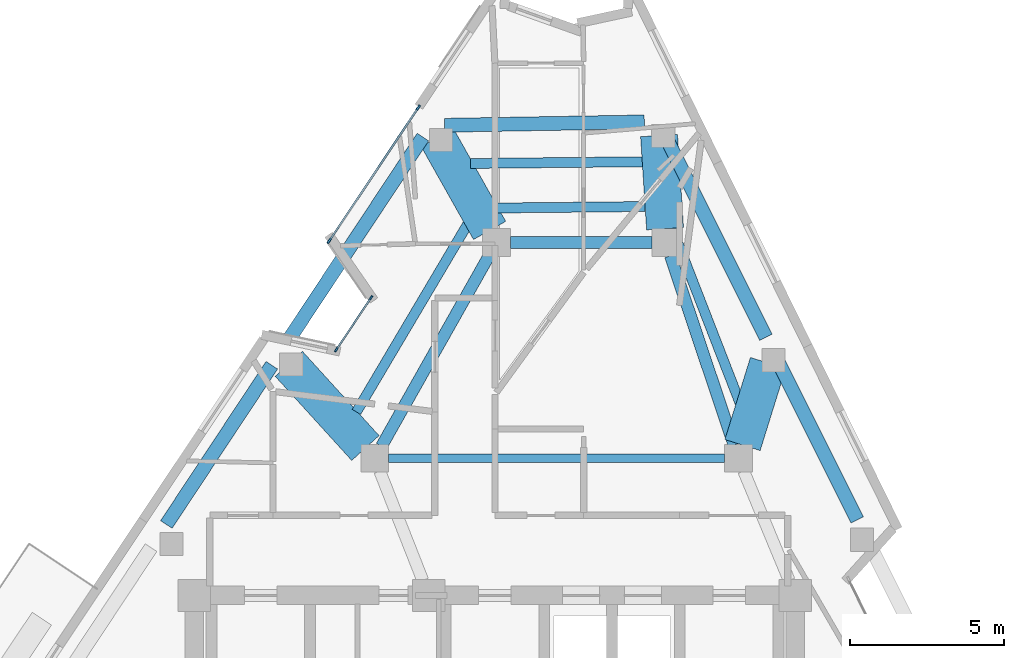
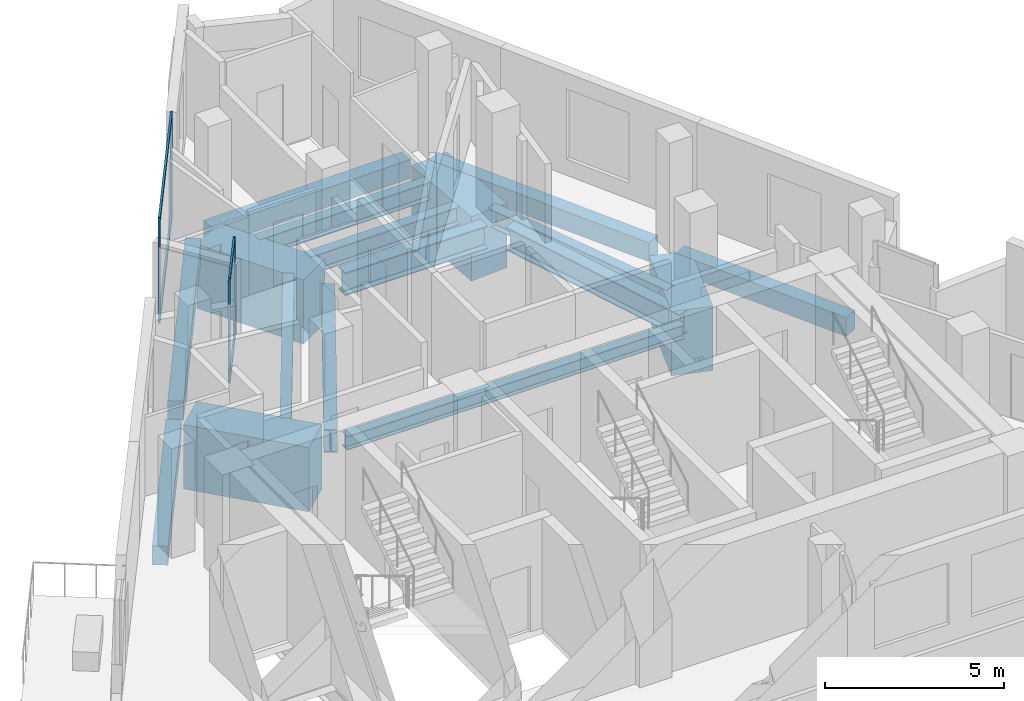
# One storey, part 3 of 10: 17 beams, 8 members, 2 elements without a shape of their own.
"""IFC4 building model written with IfcOpenShell, lengths in metres."""

from ifc_helpers import new_model, si_unit, direction, frame, origin, origin_2d, place, context, subcontext, project, spatial, rectangle, i_section, extrude, material, layer, layer_set, material_profile, profile_set, type_object, element, aggregate, save


model = new_model("IFC4")

# Units and contexts
model_context = context("Model", 3, precision=1e-05, world=origin(), true_north=direction((0.0, 1.0)))
body_context = subcontext(model_context, "Body", "Model", "MODEL_VIEW")
ifc_project = project(units=[si_unit("LENGTHUNIT", "METRE"), si_unit("AREAUNIT", "SQUARE_METRE"), si_unit("VOLUMEUNIT", "CUBIC_METRE"), si_unit("PLANEANGLEUNIT", "RADIAN"), si_unit("MASSUNIT", "GRAM", prefix="KILO")], contexts=[model_context])

# Site, building, storey
site_placement = place(None, origin())
site = spatial("IfcSite", under=ifc_project, at=site_placement, CompositionType="ELEMENT")
building_placement = place(site_placement, origin())
building = spatial("IfcBuilding", under=site, at=building_placement, Name="Almagre Mirador Tower", CompositionType="ELEMENT")
storey_placement = place(building_placement, frame((0.0, 0.0, 270.75)))
storey = spatial("IfcBuildingStorey", under=building, at=storey_placement, Name="L70", CompositionType="ELEMENT", Elevation=270.75)

# Beams
ifc_material_1 = material(Name="Steel ASTM A992 Grade 50", Category="steel")
ifc_material_profile_1 = material_profile(ifc_material_1, i_section(OverallWidth=0.281982421875, OverallDepth=0.467041015625, WebThickness=0.01220703125, FlangeThickness=0.01953125, FilletRadius=0.01611328125, at=origin_2d()), Name="W18X86")
ifc_profile_set_1 = profile_set([ifc_material_profile_1], Name="Steel ASTM A992 Grade 50")
beam_type_1 = type_object("IfcBeamType", Name="BM-BAL-W18X86", PredefinedType="JOIST", material=ifc_profile_set_1)
beam_1_placement = place(storey_placement, frame((33.85009765625, 19.199951171875, -0.4833984375), z_axis=(1.0, 0.0, 0.0), x_axis=(0.0, 1.0, 0.0)))
element("IfcBeam", 1, at=beam_1_placement, inside=storey, type_object=beam_type_1, Name="L70 secondary header beam BB-01", PredefinedType="JOIST", context=body_context, shape_type="SweptSolid", body=[
    extrude(i_section(OverallWidth=0.281982421875, OverallDepth=0.467041015625, WebThickness=0.01220703125, FlangeThickness=0.01953125, FilletRadius=0.01611328125, at=origin_2d()), origin(), (0.0, 0.0, 1.0), 10.89990234375),
])
ifc_material_2 = material(Name="Steel ASTM A992 Grade 50", Category="steel")
ifc_material_profile_2 = material_profile(ifc_material_2, i_section(OverallWidth=0.323974609375, OverallDepth=0.611083984375, WebThickness=0.0126953125, FlangeThickness=0.01904296875, FilletRadius=0.02001953125, at=origin_2d()), Name="W24X104")
ifc_profile_set_2 = profile_set([ifc_material_profile_2], Name="Steel ASTM A992 Grade 50")
beam_type_2 = type_object("IfcBeamType", Name="BM-JST-W24X104", PredefinedType="JOIST", material=ifc_profile_set_2)
beam_2_placement = place(storey_placement, frame((45.315673828125, 20.828369140625, -0.555419921875), z_axis=(-0.361914235018, 0.932211395817, 0.0), x_axis=(-0.932211395817, -0.361914235018, 0.0)))
element("IfcBeam", 2, at=beam_2_placement, inside=storey, type_object=beam_type_2, Name="L70 secondary floor joist PC07-PC08.3", PredefinedType="JOIST", context=body_context, shape_type="SweptSolid", body=[
    extrude(i_section(OverallWidth=0.323974609375, OverallDepth=0.611083984375, WebThickness=0.0126953125, FlangeThickness=0.01904296875, FilletRadius=0.02001953125, at=origin_2d()), origin(), (0.0, 0.0, 1.0), 6.422607421875),
])
beam_3_placement = place(storey_placement, frame((42.08056640625, 28.821044921875, -0.555419921875), z_axis=(-0.999953145614, -0.009680215742, 0.0), x_axis=(0.009680215742, -0.999953145614, 0.0)))
element("IfcBeam", 3, at=beam_3_placement, inside=storey, type_object=beam_type_2, Name="L70 secondary floor joist PC08-PC09.1", PredefinedType="JOIST", context=body_context, shape_type="SweptSolid", body=[
    extrude(i_section(OverallWidth=0.323974609375, OverallDepth=0.611083984375, WebThickness=0.0126953125, FlangeThickness=0.01904296875, FilletRadius=0.02001953125, at=origin_2d()), origin(), (0.0, 0.0, 1.0), 5.57373046875),
])
beam_4_placement = place(storey_placement, frame((42.17431640625, 27.369140625, -0.555419921875), z_axis=(-0.999950885188, -0.009910964197, 0.0), x_axis=(0.009910964197, -0.999950885188, 0.0)))
element("IfcBeam", 4, at=beam_4_placement, inside=storey, type_object=beam_type_2, Name="L70 secondary floor joist PC08-PC09.3", PredefinedType="JOIST", context=body_context, shape_type="SweptSolid", body=[
    extrude(i_section(OverallWidth=0.323974609375, OverallDepth=0.611083984375, WebThickness=0.0126953125, FlangeThickness=0.01904296875, FilletRadius=0.02001953125, at=origin_2d()), origin(), (0.0, 0.0, 1.0), 4.852783203125),
])
beam_5_placement = place(storey_placement, frame((36.416015625, 26.798828125, -0.555419921875), z_axis=(-0.509565212564, -0.860432039236, 0.0), x_axis=(0.860432039236, -0.509565212564, 0.0)))
element("IfcBeam", 5, at=beam_5_placement, inside=storey, type_object=beam_type_2, Name="L70 secondary floor joist PC09-PC10.3", PredefinedType="JOIST", context=body_context, shape_type="SweptSolid", body=[
    extrude(i_section(OverallWidth=0.323974609375, OverallDepth=0.611083984375, WebThickness=0.0126953125, FlangeThickness=0.01904296875, FilletRadius=0.02001953125, at=origin_2d()), origin(), (0.0, 0.0, 1.0), 7.082763671875),
])
ifc_material_3 = material(Name="Precast concrete C50/60", Category="concrete")
ifc_material_profile_3 = material_profile(ifc_material_3, rectangle(XDim=0.449951171875, YDim=0.64990234375, at=origin_2d()), Name="RC450X650")
ifc_profile_set_3 = profile_set([ifc_material_profile_3], Name="Precast concrete C50/60")
beam_type_3 = type_object("IfcBeamType", Name="BM-SPN-RC450X650", PredefinedType="SPANDREL", material=ifc_profile_set_3)
beam_6_placement = place(storey_placement, frame((49.055908203125, 17.20556640625, -0.574951171875), z_axis=(-0.447230671809, 0.894418652642, 0.0), x_axis=(-0.894418652642, -0.447230671809, 0.0)))
element("IfcBeam", 6, at=beam_6_placement, inside=storey, type_object=beam_type_3, Name="L70 perimeter spandrel beam PC06-PC07", PredefinedType="SPANDREL", context=body_context, shape_type="SweptSolid", body=[
    extrude(rectangle(XDim=0.449951171875, YDim=0.64990234375, at=origin_2d()), origin(), (0.0, 0.0, 1.0), 5.71875),
])
beam_7_placement = place(storey_placement, frame((46.095703125, 23.12548828125, -0.574951171875), z_axis=(-0.447226839749, 0.894420568753, 0.0), x_axis=(-0.894420568753, -0.447226839749, 0.0)))
element("IfcBeam", 7, at=beam_7_placement, inside=storey, type_object=beam_type_3, Name="L70 perimeter spandrel beam PC07-PC08", PredefinedType="SPANDREL", context=body_context, shape_type="SweptSolid", body=[
    extrude(rectangle(XDim=0.449951171875, YDim=0.64990234375, at=origin_2d()), origin(), (0.0, 0.0, 1.0), 7.37353515625),
])
beam_8_placement = place(storey_placement, frame((42.147216796875, 30.115234375, -0.574951171875), z_axis=(-0.999854670426, -0.017048109218, 0.0), x_axis=(0.017048109218, -0.999854670426, 0.0)))
element("IfcBeam", 8, at=beam_8_placement, inside=storey, type_object=beam_type_3, Name="L70 perimeter spandrel beam PC08-PC09", PredefinedType="SPANDREL", context=body_context, shape_type="SweptSolid", body=[
    extrude(rectangle(XDim=0.449951171875, YDim=0.64990234375, at=origin_2d()), origin(), (0.0, 0.0, 1.0), 6.4873046875),
])
beam_9_placement = place(storey_placement, frame((34.962646484375, 29.621826171875, -0.574951171875), z_axis=(-0.55211200974, -0.833769949507, 0.0), x_axis=(0.833769949507, -0.55211200974, 0.0)))
element("IfcBeam", 9, at=beam_9_placement, inside=storey, type_object=beam_type_3, Name="L70 perimeter spandrel beam PC09-PC10", PredefinedType="SPANDREL", context=body_context, shape_type="SweptSolid", body=[
    extrude(rectangle(XDim=0.449951171875, YDim=0.64990234375, at=origin_2d()), origin(), (0.0, 0.0, 1.0), 7.975341796875),
])
beam_10_placement = place(storey_placement, frame((30.0625, 22.2216796875, -0.574951171875), z_axis=(-0.552107701179, -0.833772802566, 0.0), x_axis=(0.833772802566, -0.552107701179, 0.0)))
element("IfcBeam", 10, at=beam_10_placement, inside=storey, type_object=beam_type_3, Name="L70 perimeter spandrel beam PC10-PC11", PredefinedType="SPANDREL", context=body_context, shape_type="SweptSolid", body=[
    extrude(rectangle(XDim=0.449951171875, YDim=0.64990234375, at=origin_2d()), origin(), (0.0, 0.0, 1.0), 6.199951171875),
])
ifc_material_4 = material(Name="Steel ASTM A992 Grade 50", Category="steel")
ifc_material_profile_4 = material_profile(ifc_material_4, i_section(OverallWidth=0.384033203125, OverallDepth=0.784912109375, WebThickness=0.019775390625, FlangeThickness=0.033447265625, FilletRadius=0.02392578125, at=origin_2d()), Name="W30X211")
ifc_profile_set_4 = profile_set([ifc_material_profile_4], Name="Steel ASTM A992 Grade 50")
beam_type_4 = type_object("IfcBeamType", Name="BM-STL-W30X211", PredefinedType="BEAM", material=ifc_profile_set_4)
beam_11_placement = place(storey_placement, frame((37.800048828125, 26.199951171875, -0.642578125), z_axis=(1.0, 0.0, 0.0), x_axis=(0.0, 1.0, 0.0)))
element("IfcBeam", 11, at=beam_11_placement, inside=storey, type_object=beam_type_4, Name="L70 core tie girder MC7-MC6", PredefinedType="BEAM", context=body_context, shape_type="SweptSolid", body=[
    extrude(i_section(OverallWidth=0.384033203125, OverallDepth=0.784912109375, WebThickness=0.019775390625, FlangeThickness=0.033447265625, FilletRadius=0.02392578125, at=origin_2d()), origin(), (0.0, 0.0, 1.0), 4.599853515625),
])
beam_12_placement = place(storey_placement, frame((42.9931640625, 25.7734375, -0.642578125), z_axis=(0.318282890726, -0.947995781357, 0.0), x_axis=(0.947995781357, 0.318282890726, 0.0)))
element("IfcBeam", 12, at=beam_12_placement, inside=storey, type_object=beam_type_4, Name="L70 core tie girder MC6-MC5", PredefinedType="BEAM", context=body_context, shape_type="SweptSolid", body=[
    extrude(i_section(OverallWidth=0.384033203125, OverallDepth=0.784912109375, WebThickness=0.019775390625, FlangeThickness=0.033447265625, FilletRadius=0.02392578125, at=origin_2d()), origin(), (0.0, 0.0, 1.0), 6.48388671875),
])
beam_13_placement = place(storey_placement, frame((37.12890625, 25.80810546875, -0.642578125), z_axis=(-0.491446261843, -0.870907900825, 0.0), x_axis=(0.870907900825, -0.491446261843, 0.0)))
element("IfcBeam", 13, at=beam_13_placement, inside=storey, type_object=beam_type_4, Name="L70 core tie girder MC7-MC8", PredefinedType="BEAM", context=body_context, shape_type="SweptSolid", body=[
    extrude(i_section(OverallWidth=0.384033203125, OverallDepth=0.784912109375, WebThickness=0.019775390625, FlangeThickness=0.033447265625, FilletRadius=0.02392578125, at=origin_2d()), origin(), (0.0, 0.0, 1.0), 7.1376953125),
])
ifc_material_5 = material(Name="Concrete C60/75", Category="concrete")
ifc_material_profile_5 = material_profile(ifc_material_5, rectangle(XDim=1.199951171875, YDim=2.199951171875, at=origin_2d()), Name="RC1200X2200")
ifc_profile_set_5 = profile_set([ifc_material_profile_5], Name="Concrete C60/75")
beam_type_5 = type_object("IfcBeamType", Name="BM-XFER-RC1200X2200", PredefinedType="BEAM", material=ifc_profile_set_5)
beam_14_placement = place(storey_placement, frame((46.1630859375, 22.293212890625, -1.35009765625), z_axis=(-0.297288188683, -0.95478779468, 0.0), x_axis=(0.95478779468, -0.297288188683, 0.0)))
element("IfcBeam", 14, at=beam_14_placement, inside=storey, type_object=beam_type_5, Name="L70 radial transfer girder PC07-MC5", PredefinedType="BEAM", context=body_context, shape_type="SweptSolid", body=[
    extrude(rectangle(XDim=1.199951171875, YDim=2.199951171875, at=origin_2d()), origin(), (0.0, 0.0, 1.0), 2.789794921875),
])
beam_15_placement = place(storey_placement, frame((42.6259765625, 29.673828125, -1.35009765625), z_axis=(0.064358989598, -0.997926811173, 0.0), x_axis=(0.997926811173, 0.064358989598, 0.0)))
element("IfcBeam", 15, at=beam_15_placement, inside=storey, type_object=beam_type_5, Name="L70 radial transfer girder PC08-MC6", PredefinedType="BEAM", context=body_context, shape_type="SweptSolid", body=[
    extrude(rectangle(XDim=1.199951171875, YDim=2.199951171875, at=origin_2d()), origin(), (0.0, 0.0, 1.0), 3.031005859375),
])
beam_16_placement = place(storey_placement, frame((35.431884765625, 29.60498046875, -1.35009765625), z_axis=(0.490807503583, -0.871268038222, 0.0), x_axis=(0.871268038222, 0.490807503583, 0.0)))
element("IfcBeam", 16, at=beam_16_placement, inside=storey, type_object=beam_type_5, Name="L70 radial transfer girder PC09-MC7", PredefinedType="BEAM", context=body_context, shape_type="SweptSolid", body=[
    extrude(rectangle(XDim=1.199951171875, YDim=2.199951171875, at=origin_2d()), origin(), (0.0, 0.0, 1.0), 3.4580078125),
])
beam_17_placement = place(storey_placement, frame((30.61376953125, 22.26416015625, -1.35009765625), z_axis=(0.672781414124, -0.739841313262, 0.0), x_axis=(0.739841313262, 0.672781414124, 0.0)))
element("IfcBeam", 17, at=beam_17_placement, inside=storey, type_object=beam_type_5, Name="L70 radial transfer girder PC10-MC8", PredefinedType="BEAM", context=body_context, shape_type="SweptSolid", body=[
    extrude(rectangle(XDim=1.199951171875, YDim=2.199951171875, at=origin_2d()), origin(), (0.0, 0.0, 1.0), 3.691650390625),
])

# Curtain wall, members
ifc_material_6 = material(Name="Black anodized aluminium", Category="aluminium")
ifc_layer_1 = layer(ifc_material_6, 0.169921875)
ifc_layer_set_1 = layer_set([ifc_layer_1], Name="Black anodized aluminium")
curtain_wall_type_1 = type_object("IfcCurtainWallType", Name="CW-CRS-SYS", PredefinedType="NOTDEFINED", material=ifc_layer_set_1)
curtain_wall_1_placement = place(storey_placement, origin())
curtain_wall_1 = element("IfcCurtainWall", 18, at=curtain_wall_1_placement, inside=storey, type_object=curtain_wall_type_1, Name="L70 vertical crease curtain wall 01", PredefinedType="NOTDEFINED")
ifc_material_7 = material(Name="Black anodized aluminium", Category="aluminium")
ifc_material_profile_6 = material_profile(ifc_material_7, rectangle(XDim=0.06005859375, YDim=0.14990234375, at=origin_2d()), Name="CWM60X150")
ifc_profile_set_6 = profile_set([ifc_material_profile_6], Name="Black anodized aluminium")
member_type_1 = type_object("IfcMemberType", Name="MBR-CWM60X150", PredefinedType="MULLION", material=ifc_profile_set_6)
member_1_placement = place(storey_placement, frame((32.151611328125, 22.721923828125, 0.0), z_axis=(0.0, 0.0, 1.0), x_axis=(-0.83153468861, 0.555472827093, 0.0)))
member_1 = element("IfcMember", 19, at=member_1_placement, type_object=member_type_1, Name="CW-4 mullion 1", PredefinedType="MULLION", context=body_context, shape_type="SweptSolid", body=[
    extrude(rectangle(XDim=0.06005859375, YDim=0.14990234375, at=origin_2d()), origin(), (0.0, 0.0, 1.0), 3.5),
])
member_2_placement = place(storey_placement, frame((33.279296875, 24.41015625, 0.0), z_axis=(0.0, 0.0, 1.0), x_axis=(-0.83153468861, 0.555472827093, 0.0)))
member_2 = element("IfcMember", 20, at=member_2_placement, type_object=member_type_1, Name="CW-4 mullion 2", PredefinedType="MULLION", context=body_context, shape_type="SweptSolid", body=[
    extrude(rectangle(XDim=0.06005859375, YDim=0.14990234375, at=origin_2d()), origin(), (0.0, 0.0, 1.0), 3.5),
])

ifc_material_8 = material(Name="Black anodized aluminium", Category="aluminium")
ifc_layer_2 = layer(ifc_material_8, 0.199951171875)
ifc_layer_set_2 = layer_set([ifc_layer_2], Name="Black anodized aluminium")
curtain_wall_type_2 = type_object("IfcCurtainWallType", Name="CW-RES-H-SYS", PredefinedType="NOTDEFINED", material=ifc_layer_set_2)
curtain_wall_2_placement = place(storey_placement, origin())
curtain_wall_2 = element("IfcCurtainWall", 21, at=curtain_wall_2_placement, inside=storey, type_object=curtain_wall_type_2, Name="L70 curtain wall run 02", PredefinedType="NOTDEFINED")
ifc_material_9 = material(Name="Black anodized aluminium", Category="aluminium")
ifc_material_profile_7 = material_profile(ifc_material_9, rectangle(XDim=0.06494140625, YDim=0.179931640625, at=origin_2d()), Name="CWM65X180")
ifc_profile_set_7 = profile_set([ifc_material_profile_7], Name="Black anodized aluminium")
member_type_2 = type_object("IfcMemberType", Name="MBR-CWM65X180", PredefinedType="MULLION", material=ifc_profile_set_7)
member_3_placement = place(storey_placement, frame((31.92236328125, 26.250732421875, 0.0), z_axis=(0.0, 0.0, 1.0), x_axis=(-0.831676434497, 0.555260576939, 0.0)))
member_3 = element("IfcMember", 22, at=member_3_placement, type_object=member_type_2, Name="CW-3 mullion 1", PredefinedType="MULLION", context=body_context, shape_type="SweptSolid", body=[
    extrude(rectangle(XDim=0.06494140625, YDim=0.179931640625, at=origin_2d()), origin(), (0.0, 0.0, 1.0), 3.5),
])
member_4_placement = place(storey_placement, frame((34.8125, 30.57958984375, 0.0), z_axis=(0.0, 0.0, 1.0), x_axis=(-0.831676434497, 0.555260576939, 0.0)))
member_4 = element("IfcMember", 23, at=member_4_placement, type_object=member_type_2, Name="CW-3 mullion 2", PredefinedType="MULLION", context=body_context, shape_type="SweptSolid", body=[
    extrude(rectangle(XDim=0.06494140625, YDim=0.179931640625, at=origin_2d()), origin(), (0.0, 0.0, 1.0), 3.5),
])

# Member
ifc_material_10 = material(Name="Black anodized aluminium", Category="aluminium")
ifc_material_profile_8 = material_profile(ifc_material_10, rectangle(XDim=0.06005859375, YDim=0.1298828125, at=origin_2d()), Name="CWT60X130")
ifc_profile_set_8 = profile_set([ifc_material_profile_8], Name="Black anodized aluminium")
member_type_3 = type_object("IfcMemberType", Name="MBR-CWT60X130", PredefinedType="USERDEFINED", material=ifc_profile_set_8)
member_5_placement = place(storey_placement, frame((32.168212890625, 22.746826171875, 0.030029296875), z_axis=(0.555529225299, 0.831497011323, 0.0), x_axis=(-0.831497011323, 0.555529225299, 0.0)))
member_5 = element("IfcMember", 24, at=member_5_placement, type_object=member_type_3, Name="CW-4 transom 1.1", ObjectType="TRANSOM", PredefinedType="USERDEFINED", context=body_context, shape_type="SweptSolid", body=[
    extrude(rectangle(XDim=0.06005859375, YDim=0.1298828125, at=origin_2d()), origin(), (0.0, 0.0, 1.0), 1.97021484375),
])

member_6_placement = place(storey_placement, frame((32.168212890625, 22.746826171875, 3.469970703125), z_axis=(0.555529225299, 0.831497011323, 0.0), x_axis=(-0.831497011323, 0.555529225299, 0.0)))
member_6 = element("IfcMember", 25, at=member_6_placement, type_object=member_type_3, Name="CW-4 transom 1.2", ObjectType="TRANSOM", PredefinedType="USERDEFINED", context=body_context, shape_type="SweptSolid", body=[
    extrude(rectangle(XDim=0.06005859375, YDim=0.1298828125, at=origin_2d()), origin(), (0.0, 0.0, 1.0), 1.97021484375),
])

aggregate(curtain_wall_1, [member_1, member_2, member_5, member_6])

ifc_material_11 = material(Name="Black anodized aluminium", Category="aluminium")
ifc_material_profile_9 = material_profile(ifc_material_11, rectangle(XDim=0.06494140625, YDim=0.14990234375, at=origin_2d()), Name="CWT65X150")
ifc_profile_set_9 = profile_set([ifc_material_profile_9], Name="Black anodized aluminium")
member_type_4 = type_object("IfcMemberType", Name="MBR-CWT65X150", PredefinedType="USERDEFINED", material=ifc_profile_set_9)
member_7_placement = place(storey_placement, frame((31.9404296875, 26.277587890625, 0.032470703125), z_axis=(0.555248126294, 0.831684746913, 0.0), x_axis=(-0.831684746913, 0.555248126294, 0.0)))
member_7 = element("IfcMember", 26, at=member_7_placement, type_object=member_type_4, Name="CW-3 transom 1.1", ObjectType="TRANSOM", PredefinedType="USERDEFINED", context=body_context, shape_type="SweptSolid", body=[
    extrude(rectangle(XDim=0.06494140625, YDim=0.14990234375, at=origin_2d()), origin(), (0.0, 0.0, 1.0), 5.14013671875),
])

member_8_placement = place(storey_placement, frame((31.9404296875, 26.277587890625, 3.467529296875), z_axis=(0.555248126294, 0.831684746913, 0.0), x_axis=(-0.831684746913, 0.555248126294, 0.0)))
member_8 = element("IfcMember", 27, at=member_8_placement, type_object=member_type_4, Name="CW-3 transom 1.2", ObjectType="TRANSOM", PredefinedType="USERDEFINED", context=body_context, shape_type="SweptSolid", body=[
    extrude(rectangle(XDim=0.06494140625, YDim=0.14990234375, at=origin_2d()), origin(), (0.0, 0.0, 1.0), 5.14013671875),
])

aggregate(curtain_wall_2, [member_3, member_4, member_7, member_8])

save(model, "model.ifc")
